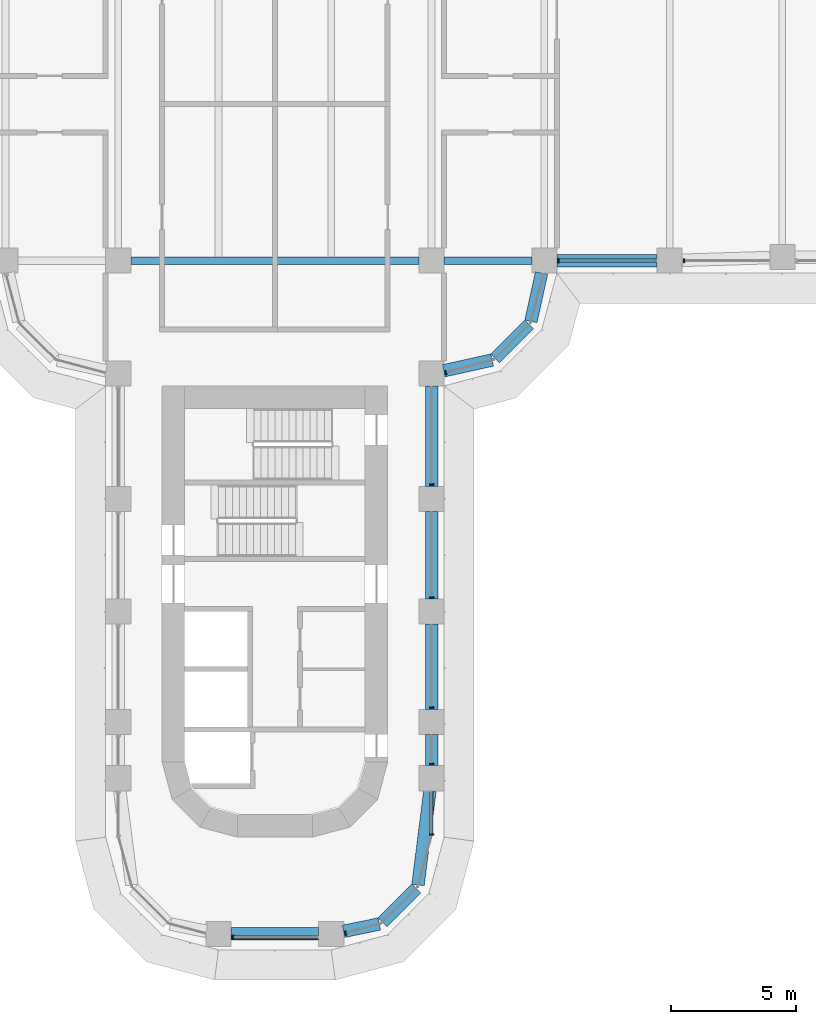
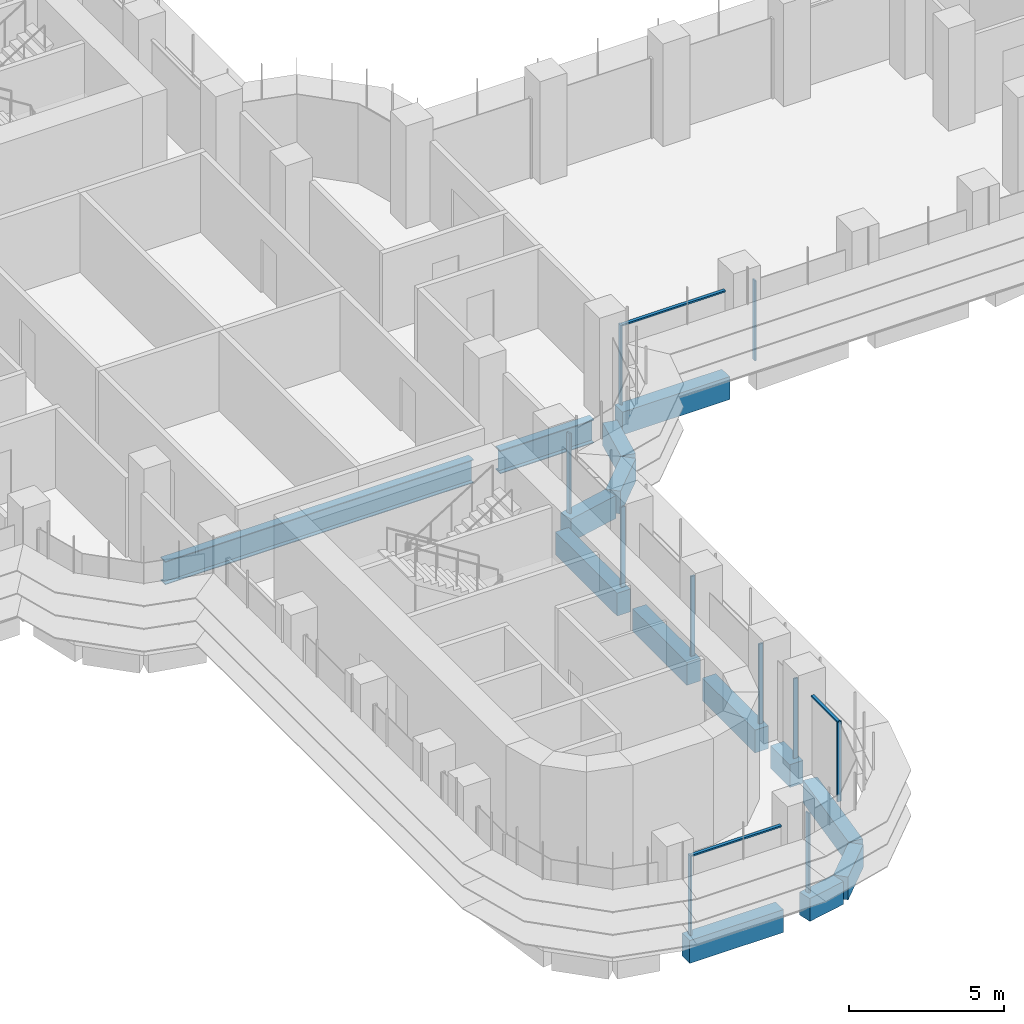
# One storey, part 4 of 23: 14 beams, 13 members, 5 elements without a shape of their own.
"""IFC4 building model written with IfcOpenShell, lengths in metres."""

from ifc_helpers import new_model, si_unit, direction, frame, origin, origin_2d, place, context, subcontext, project, spatial, polyline, rectangle, i_section, outline, extrude, source, transform, mapped, material, material_profile, profile_set, type_object, element, aggregate, save


model = new_model("IFC4")

# Units and contexts
model_context = context("Model", 3, precision=1e-05, world=origin(), true_north=direction((0.0, 1.0)))
body_context = subcontext(model_context, "Body", "Model", "MODEL_VIEW")
ifc_project = project(units=[si_unit("LENGTHUNIT", "METRE"), si_unit("AREAUNIT", "SQUARE_METRE"), si_unit("VOLUMEUNIT", "CUBIC_METRE"), si_unit("PLANEANGLEUNIT", "RADIAN"), si_unit("MASSUNIT", "GRAM", prefix="KILO")], contexts=[model_context])

# Site, building, storey
site_placement = place(None, origin())
site = spatial("IfcSite", under=ifc_project, at=site_placement, CompositionType="ELEMENT")
building_placement = place(site_placement, origin())
building = spatial("IfcBuilding", under=site, at=building_placement, Name="Zarbagh Exchange Tower", CompositionType="ELEMENT")
storey_placement = place(building_placement, frame((0.0, 0.0, 56.39990234375)))
storey = spatial("IfcBuildingStorey", under=building, at=storey_placement, Name="L12", CompositionType="ELEMENT", Elevation=56.39990234375)

# Beams
ifc_material_1 = material(Name="Steel ASTM A992 Gr 50", Category="steel")
ifc_material_profile_1 = material_profile(ifc_material_1, i_section(OverallWidth=0.3046875, OverallDepth=0.91943359375, WebThickness=0.017333984375, FlangeThickness=0.02783203125, at=origin_2d()), Name="W36X170")
ifc_profile_set_1 = profile_set([ifc_material_profile_1], Name="Steel ASTM A992 Gr 50")
beam_type_1 = type_object("IfcBeamType", Name="Floor girder W36X170", PredefinedType="BEAM", material=ifc_profile_set_1)
beam_1_placement = place(storey_placement, frame((-5.75, -6.25, -0.609619140625), z_axis=(1.0, 0.0, 0.0), x_axis=(0.0, 1.0, 0.0)))
element("IfcBeam", 1, at=beam_1_placement, inside=storey, type_object=beam_type_1, Name="Steel girder", PredefinedType="BEAM", context=body_context, shape_type="SweptSolid", body=[
    extrude(i_section(OverallWidth=0.3046875, OverallDepth=0.91943359375, WebThickness=0.017333984375, FlangeThickness=0.02783203125, at=origin_2d()), origin(), (0.0, 0.0, 1.0), 11.5),
])
beam_2_placement = place(storey_placement, frame((6.75, -6.25, -0.609619140625), z_axis=(1.0, 0.0, 0.0), x_axis=(0.0, 1.0, 0.0)))
element("IfcBeam", 2, at=beam_2_placement, inside=storey, type_object=beam_type_1, Name="Steel girder", PredefinedType="BEAM", context=body_context, shape_type="SweptSolid", body=[
    extrude(i_section(OverallWidth=0.3046875, OverallDepth=0.91943359375, WebThickness=0.017333984375, FlangeThickness=0.02783203125, at=origin_2d()), origin(), (0.0, 0.0, 1.0), 3.5),
])
ifc_material_2 = material(Name="Concrete C60/75", Category="concrete")
ifc_material_profile_2 = material_profile(ifc_material_2, rectangle(XDim=0.5, YDim=0.89990234375, at=origin_2d()), Name="RC spandrel beam 500 x 900 C60/75")
ifc_profile_set_2 = profile_set([ifc_material_profile_2], Name="Concrete C60/75")
beam_type_2 = type_object("IfcBeamType", Name="RC spandrel beam 500 x 900 C60/75", PredefinedType="SPANDREL", material=ifc_profile_set_2)
beam_3_placement = place(storey_placement, frame((15.25, -6.25, -0.599853515625), z_axis=(-1.0, 0.0, 0.0), x_axis=(0.0, -1.0, 0.0)))
element("IfcBeam", 3, at=beam_3_placement, inside=storey, type_object=beam_type_2, Name="RC spandrel beam", PredefinedType="SPANDREL", context=body_context, shape_type="SweptSolid", body=[
    extrude(rectangle(XDim=0.5, YDim=0.89990234375, at=origin_2d()), origin(), (0.0, 0.0, 1.0), 4.0),
])
beam_4_placement = place(storey_placement, frame((10.64208984375, -6.73828125, -0.599853515625), z_axis=(-0.216081063242, -0.976375426825, 0.0), x_axis=(0.976375426825, -0.216081063242, 0.0)))
element("IfcBeam", 4, at=beam_4_placement, inside=storey, type_object=beam_type_2, Name="RC spandrel beam", PredefinedType="SPANDREL", context=body_context, shape_type="SweptSolid", body=[
    extrude(rectangle(XDim=0.5, YDim=0.89990234375, at=origin_2d()), origin(), (0.0, 0.0, 1.0), 1.978271484375),
])
beam_5_placement = place(storey_placement, frame((10.147216796875, -8.792724609375, -0.599853515625), z_axis=(-0.707106781187, -0.707106781187, 0.0), x_axis=(0.707106781187, -0.707106781187, 0.0)))
element("IfcBeam", 5, at=beam_5_placement, inside=storey, type_object=beam_type_2, Name="RC spandrel beam", PredefinedType="SPANDREL", context=body_context, shape_type="SweptSolid", body=[
    extrude(rectangle(XDim=0.5, YDim=0.89990234375, at=origin_2d()), origin(), (0.0, 0.0, 1.0), 1.91552734375),
])
beam_6_placement = place(storey_placement, frame((8.669921875, -10.214599609375, -0.599853515625), z_axis=(-0.976375426825, -0.216081063242, 0.0), x_axis=(0.216081063242, -0.976375426825, 0.0)))
element("IfcBeam", 6, at=beam_6_placement, inside=storey, type_object=beam_type_2, Name="RC spandrel beam", PredefinedType="SPANDREL", context=body_context, shape_type="SweptSolid", body=[
    extrude(rectangle(XDim=0.5, YDim=0.89990234375, at=origin_2d()), origin(), (0.0, 0.0, 1.0), 1.978271484375),
])
beam_7_placement = place(storey_placement, frame((6.25, -11.25, -0.599853515625), z_axis=(0.0, -1.0, 0.0), x_axis=(1.0, 0.0, 0.0)))
element("IfcBeam", 7, at=beam_7_placement, inside=storey, type_object=beam_type_2, Name="RC spandrel beam", PredefinedType="SPANDREL", context=body_context, shape_type="SweptSolid", body=[
    extrude(rectangle(XDim=0.5, YDim=0.89990234375, at=origin_2d()), origin(), (0.0, 0.0, 1.0), 4.0),
])
beam_8_placement = place(storey_placement, frame((6.25, -16.25, -0.599853515625), z_axis=(0.0, -1.0, 0.0), x_axis=(1.0, 0.0, 0.0)))
element("IfcBeam", 8, at=beam_8_placement, inside=storey, type_object=beam_type_2, Name="RC spandrel beam", PredefinedType="SPANDREL", context=body_context, shape_type="SweptSolid", body=[
    extrude(rectangle(XDim=0.5, YDim=0.89990234375, at=origin_2d()), origin(), (0.0, 0.0, 1.0), 3.5),
])
beam_9_placement = place(storey_placement, frame((6.25, -20.75, -0.599853515625), z_axis=(0.0, -1.0, 0.0), x_axis=(1.0, 0.0, 0.0)))
element("IfcBeam", 9, at=beam_9_placement, inside=storey, type_object=beam_type_2, Name="RC spandrel beam", PredefinedType="SPANDREL", context=body_context, shape_type="SweptSolid", body=[
    extrude(rectangle(XDim=0.5, YDim=0.89990234375, at=origin_2d()), origin(), (0.0, 0.0, 1.0), 3.39990234375),
])
beam_10_placement = place(storey_placement, frame((6.25, -25.14990234375, -0.599853515625), z_axis=(0.0, -1.0, 0.0), x_axis=(1.0, 0.0, 0.0)))
element("IfcBeam", 10, at=beam_10_placement, inside=storey, type_object=beam_type_2, Name="RC spandrel beam", PredefinedType="SPANDREL", context=body_context, shape_type="SweptSolid", body=[
    extrude(rectangle(XDim=0.5, YDim=0.89990234375, at=origin_2d()), origin(), (0.0, 0.0, 1.0), 1.25),
])
beam_11_placement = place(storey_placement, frame((6.18701171875, -27.39599609375, -0.599853515625), z_axis=(-0.12591317752, -0.992041265133, 0.0), x_axis=(0.992041265133, -0.12591317752, 0.0)))
element("IfcBeam", 11, at=beam_11_placement, inside=storey, type_object=beam_type_2, Name="RC spandrel beam", PredefinedType="SPANDREL", context=body_context, shape_type="SweptSolid", body=[
    extrude(rectangle(XDim=0.5, YDim=0.89990234375, at=origin_2d()), origin(), (0.0, 0.0, 1.0), 3.790771484375),
])
beam_12_placement = place(storey_placement, frame((5.638427734375, -31.301513671875, -0.599853515625), z_axis=(-0.707042571718, -0.707170984825, 0.0), x_axis=(0.707170984825, -0.707042571718, 0.0)))
element("IfcBeam", 12, at=beam_12_placement, inside=storey, type_object=beam_type_2, Name="RC spandrel beam", PredefinedType="SPANDREL", context=body_context, shape_type="SweptSolid", body=[
    extrude(rectangle(XDim=0.5, YDim=0.89990234375, at=origin_2d()), origin(), (0.0, 0.0, 1.0), 1.901123046875),
])
beam_13_placement = place(storey_placement, frame((4.16796875, -32.714111328125, -0.599853515625), z_axis=(-0.9793713725, -0.202068589164, 0.0), x_axis=(0.202068589164, -0.9793713725, 0.0)))
element("IfcBeam", 13, at=beam_13_placement, inside=storey, type_object=beam_type_2, Name="RC spandrel beam", PredefinedType="SPANDREL", context=body_context, shape_type="SweptSolid", body=[
    extrude(rectangle(XDim=0.5, YDim=0.89990234375, at=origin_2d()), origin(), (0.0, 0.0, 1.0), 1.458251953125),
])
beam_14_placement = place(storey_placement, frame((1.75, -33.110107421875, -0.599853515625), z_axis=(-1.0, 0.0, 0.0), x_axis=(0.0, -1.0, 0.0)))
element("IfcBeam", 14, at=beam_14_placement, inside=storey, type_object=beam_type_2, Name="RC spandrel beam", PredefinedType="SPANDREL", context=body_context, shape_type="SweptSolid", body=[
    extrude(rectangle(XDim=0.5, YDim=0.89990234375, at=origin_2d()), origin(), (0.0, 0.0, 1.0), 3.5),
])

# Curtain wall, member
ifc_material_3 = material(Name="Anodised aluminium frame and glazing", Category="aluminium")
curtain_wall_type = type_object("IfcCurtainWallType", Name="CWA Ribbon glazing, lower zones", PredefinedType="NOTDEFINED", material=ifc_material_3)
curtain_wall_1_placement = place(storey_placement, origin())
curtain_wall_1 = element("IfcCurtainWall", 15, at=curtain_wall_1_placement, inside=storey, type_object=curtain_wall_type, Name="CWA01 curtain wall", PredefinedType="NOTDEFINED")
ifc_material_4 = material(Name="Anodised aluminium frame", Category="aluminium")
member_type_1 = type_object("IfcMemberType", Name="MUA Mullion, anodised aluminium frame", PredefinedType="MULLION", material=ifc_material_4)
shared_shape_1 = source(origin(), body_context, "Body", "SweptSolid", [
    extrude(outline(polyline([(0.0, -0.080078125), (0.06005859375, -0.080078125), (0.06005859375, 0.080078125), (0.0, 0.080078125), (0.0, -0.080078125)])), origin(), (0.0, 0.0, 1.0), 3.14990234375),
])
placement = place(storey_placement, origin())
member_1 = element("IfcMember", 16, at=placement, type_object=member_type_1, Name="CWA01 mullion 1.1", PredefinedType="MULLION", context=body_context, shape_type="MappedRepresentation", body=[
    mapped(shared_shape_1, transform((2.7900390625, -33.087646484375, 0.0), x_axis=(0.965924289636, 0.258824779902, 0.0), y_axis=(-0.258824779902, 0.965924289636, 0.0), z_axis=(0.0, 0.0, 1.0))),
])
aggregate(curtain_wall_1, [member_1])

# Curtain wall, members
curtain_wall_2_placement = place(storey_placement, origin())
curtain_wall_2 = element("IfcCurtainWall", 17, at=curtain_wall_2_placement, inside=storey, type_object=curtain_wall_type, Name="CWA04 curtain wall", PredefinedType="NOTDEFINED")
member_2 = element("IfcMember", 18, at=placement, type_object=member_type_1, Name="CWA04 mullion 1.1", PredefinedType="MULLION", context=body_context, shape_type="MappedRepresentation", body=[
    mapped(shared_shape_1, transform((6.25, -29.18408203125, 0.0), x_axis=(0.0, 1.0, 0.0), y_axis=(-1.0, 0.0, 0.0), z_axis=(0.0, 0.0, 1.0))),
])
member_3 = element("IfcMember", 19, at=placement, type_object=member_type_1, Name="CWA04 mullion 2.1", PredefinedType="MULLION", context=body_context, shape_type="MappedRepresentation", body=[
    mapped(shared_shape_1, transform((6.25, -26.35986328125, 0.0), x_axis=(0.0, 1.0, 0.0), y_axis=(-1.0, 0.0, 0.0), z_axis=(0.0, 0.0, 1.0))),
])
member_4 = element("IfcMember", 20, at=placement, type_object=member_type_1, Name="CWA04 mullion 3.1", PredefinedType="MULLION", context=body_context, shape_type="MappedRepresentation", body=[
    mapped(shared_shape_1, transform((6.25, -24.10986328125, 0.0), x_axis=(0.0, 1.0, 0.0), y_axis=(-1.0, 0.0, 0.0), z_axis=(0.0, 0.0, 1.0))),
])
member_5 = element("IfcMember", 21, at=placement, type_object=member_type_1, Name="CWA04 mullion 4.1", PredefinedType="MULLION", context=body_context, shape_type="MappedRepresentation", body=[
    mapped(shared_shape_1, transform((6.25, -19.7099609375, 0.0), x_axis=(0.0, 1.0, 0.0), y_axis=(-1.0, 0.0, 0.0), z_axis=(0.0, 0.0, 1.0))),
])
member_6 = element("IfcMember", 22, at=placement, type_object=member_type_1, Name="CWA04 mullion 5.1", PredefinedType="MULLION", context=body_context, shape_type="MappedRepresentation", body=[
    mapped(shared_shape_1, transform((6.25, -15.2099609375, 0.0), x_axis=(0.0, 1.0, 0.0), y_axis=(-1.0, 0.0, 0.0), z_axis=(0.0, 0.0, 1.0))),
])

# Curtain wall, member
curtain_wall_3_placement = place(storey_placement, origin())
curtain_wall_3 = element("IfcCurtainWall", 23, at=curtain_wall_3_placement, inside=storey, type_object=curtain_wall_type, Name="CWA05 curtain wall", PredefinedType="NOTDEFINED")
member_7 = element("IfcMember", 24, at=placement, type_object=member_type_1, Name="CWA05 mullion 1.1", PredefinedType="MULLION", context=body_context, shape_type="MappedRepresentation", body=[
    mapped(shared_shape_1, transform((6.7900390625, -10.7216796875, 0.0), x_axis=(0.965924289636, 0.258824779902, 0.0), y_axis=(-0.258824779902, 0.965924289636, 0.0), z_axis=(0.0, 0.0, 1.0))),
])
aggregate(curtain_wall_3, [member_7])

# Curtain wall, members
curtain_wall_4_placement = place(storey_placement, origin())
curtain_wall_4 = element("IfcCurtainWall", 25, at=curtain_wall_4_placement, inside=storey, type_object=curtain_wall_type, Name="CWA08 curtain wall", PredefinedType="NOTDEFINED")
member_8 = element("IfcMember", 26, at=placement, type_object=member_type_1, Name="CWA08 mullion 1.1", PredefinedType="MULLION", context=body_context, shape_type="MappedRepresentation", body=[
    mapped(shared_shape_1, transform((11.2900390625, -6.25, 0.0), x_axis=(1.0, 0.0, 0.0), y_axis=(0.0, 1.0, 0.0), z_axis=(0.0, 0.0, 1.0))),
])
member_9 = element("IfcMember", 27, at=placement, type_object=member_type_1, Name="CWA08 mullion 2.1", PredefinedType="MULLION", context=body_context, shape_type="MappedRepresentation", body=[
    mapped(shared_shape_1, transform((16.2900390625, -6.25, 0.0), x_axis=(1.0, 0.0, 0.0), y_axis=(0.0, 1.0, 0.0), z_axis=(0.0, 0.0, 1.0))),
])

# Curtain wall, member
curtain_wall_5_placement = place(storey_placement, origin())
curtain_wall_5 = element("IfcCurtainWall", 28, at=curtain_wall_5_placement, inside=storey, type_object=curtain_wall_type, Name="CWA48 curtain wall", PredefinedType="NOTDEFINED")
member_10 = element("IfcMember", 29, at=placement, type_object=member_type_1, Name="CWA48 mullion 1.1", PredefinedType="MULLION", context=body_context, shape_type="MappedRepresentation", body=[
    mapped(shared_shape_1, transform((-1.7099609375, -33.25, 0.0), x_axis=(1.0, 0.0, 0.0), y_axis=(0.0, 1.0, 0.0), z_axis=(0.0, 0.0, 1.0))),
])

# Member
member_type_2 = type_object("IfcMemberType", Name="TRA Transom, anodised aluminium frame", PredefinedType="USERDEFINED", material=ifc_material_4)
shared_shape_2 = source(origin(), body_context, "Body", "SweptSolid", [
    extrude(outline(polyline([(-0.06005859375, -0.06005859375), (0.0, -0.06005859375), (0.0, 0.06005859375), (-0.06005859375, 0.06005859375), (-0.06005859375, -0.06005859375)])), origin(), (0.0, 0.0, 1.0), 1.68408203125),
])
member_11 = element("IfcMember", 30, at=placement, type_object=member_type_2, Name="CWA04 transom 1.1", ObjectType="TRANSOM", PredefinedType="USERDEFINED", context=body_context, shape_type="MappedRepresentation", body=[
    mapped(shared_shape_2, transform((6.25, -29.124267578125, 3.150146484375), x_axis=(0.0, 0.0, 1.0), y_axis=(1.0, 0.0, 0.0), z_axis=(0.0, 1.0, 0.0))),
])

aggregate(curtain_wall_2, [member_2, member_11, member_3, member_4, member_5, member_6])

shared_shape_3 = source(origin(), body_context, "Body", "SweptSolid", [
    extrude(outline(polyline([(-0.06005859375, -0.06005859375), (0.0, -0.06005859375), (0.0, 0.06005859375), (-0.06005859375, 0.06005859375), (-0.06005859375, -0.06005859375)])), origin(), (0.0, 0.0, 1.0), 3.860107421875),
])
member_12 = element("IfcMember", 31, at=placement, type_object=member_type_2, Name="CWA08 transom 1.1", ObjectType="TRANSOM", PredefinedType="USERDEFINED", context=body_context, shape_type="MappedRepresentation", body=[
    mapped(shared_shape_3, transform((11.35009765625, -6.25, 3.150146484375), x_axis=(0.0, 0.0, 1.0), y_axis=(0.0, -1.0, 0.0), z_axis=(1.0, 0.0, 0.0))),
])

aggregate(curtain_wall_4, [member_8, member_12, member_9])

shared_shape_4 = source(origin(), body_context, "Body", "SweptSolid", [
    extrude(outline(polyline([(-0.06005859375, -0.06005859375), (0.0, -0.06005859375), (0.0, 0.06005859375), (-0.06005859375, 0.06005859375), (-0.06005859375, -0.06005859375)])), origin(), (0.0, 0.0, 1.0), 3.360107421875),
])
member_13 = element("IfcMember", 32, at=placement, type_object=member_type_2, Name="CWA48 transom 1.1", ObjectType="TRANSOM", PredefinedType="USERDEFINED", context=body_context, shape_type="MappedRepresentation", body=[
    mapped(shared_shape_4, transform((-1.64990234375, -33.25, 3.150146484375), x_axis=(0.0, 0.0, 1.0), y_axis=(0.0, -1.0, 0.0), z_axis=(1.0, 0.0, 0.0))),
])

aggregate(curtain_wall_5, [member_10, member_13])

save(model, "model.ifc")
